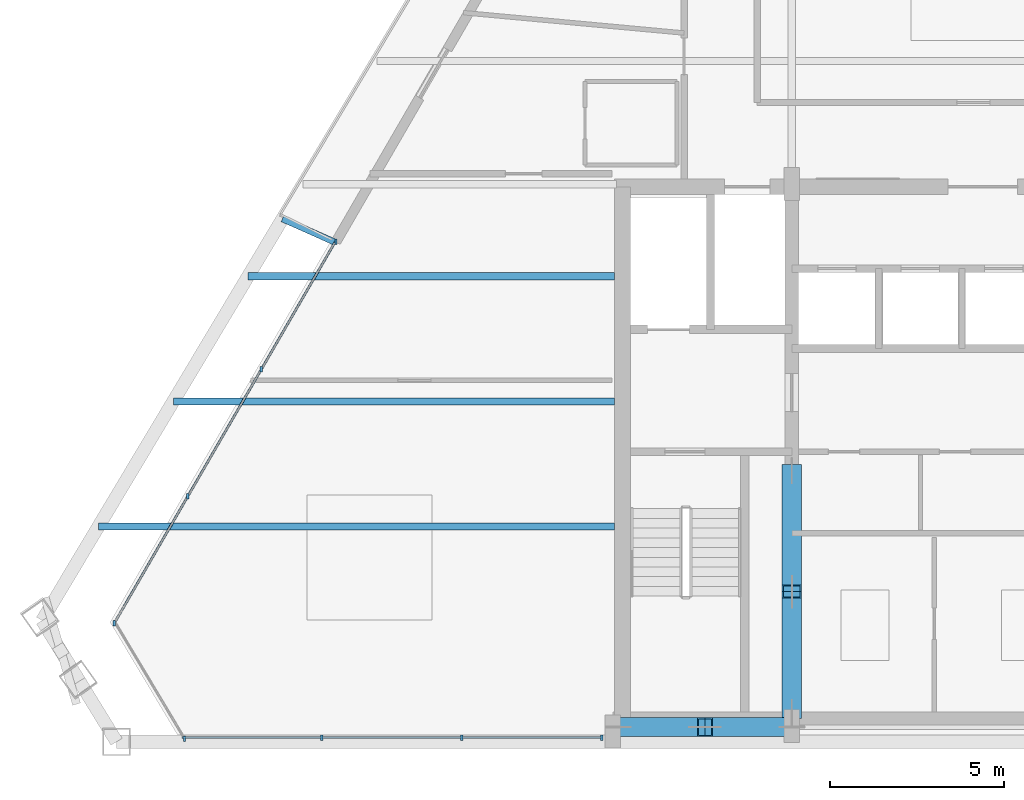
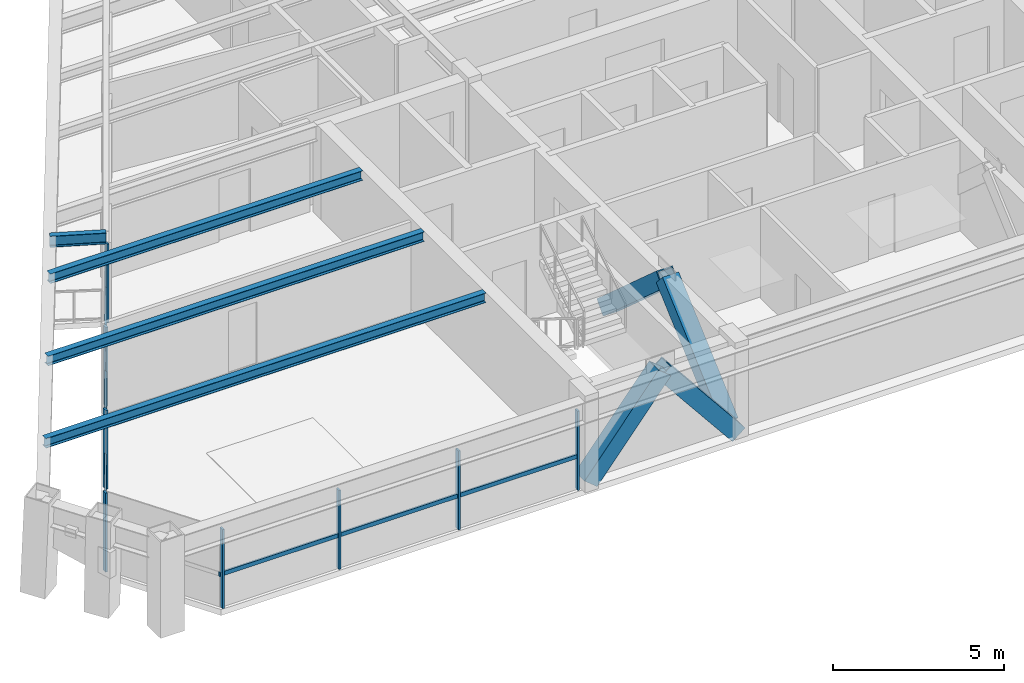
# One storey, part 2 of 13: 18 members, 4 beams, 3 elements without a shape of their own.
"""IFC4 building model written with IfcOpenShell, lengths in metres."""

from ifc_helpers import new_model, si_unit, direction, frame, origin, origin_2d, place, context, subcontext, project, spatial, rectangle, hollow_rectangle, i_section, extrude, source, transform, mapped, material, material_profile, profile_set, type_object, type_shapes, element, aggregate, save


model = new_model("IFC4")

# Units and contexts
model_context = context("Model", 3, precision=1e-05, world=origin(), true_north=direction((0.0, 1.0)))
body_context = subcontext(model_context, "Body", "Model", "MODEL_VIEW")
ifc_project = project(units=[si_unit("LENGTHUNIT", "METRE"), si_unit("AREAUNIT", "SQUARE_METRE"), si_unit("VOLUMEUNIT", "CUBIC_METRE"), si_unit("PLANEANGLEUNIT", "RADIAN"), si_unit("MASSUNIT", "GRAM", prefix="KILO")], contexts=[model_context])

# Site, building, storey
site_placement = place(None, origin())
site = spatial("IfcSite", under=ifc_project, at=site_placement, CompositionType="ELEMENT")
building_placement = place(site_placement, origin())
building = spatial("IfcBuilding", under=site, at=building_placement, Name="Varnakhor Terracotta Tower", CompositionType="ELEMENT")
storey_placement = place(building_placement, frame((0.0, 0.0, 269.550048828125)))
storey = spatial("IfcBuildingStorey", under=building, at=storey_placement, Name="L70", CompositionType="ELEMENT", Elevation=269.550048828125)

# Members
ifc_material_1 = material(Name="Steel S355", Category="steel")
ifc_material_profile_1 = material_profile(ifc_material_1, hollow_rectangle(XDim=0.550048828125, YDim=0.550048828125, WallThickness=0.034912109375, at=origin_2d()), Name="HSS550X550X35")
ifc_profile_set_1 = profile_set([ifc_material_profile_1], Name="Steel S355")
member_type_1 = type_object("IfcMemberType", Name="MBR-MEGA-550", PredefinedType="BRACE", material=ifc_profile_set_1)
shared_shape_1 = source(origin(), body_context, "Body", "SweptSolid", [
    extrude(hollow_rectangle(XDim=0.550048828125, YDim=0.550048828125, WallThickness=0.034912109375, at=origin_2d()), origin(), (0.0, 0.0, 1.0), 4.650146484375),
])
member_1_placement = place(storey_placement, frame((-5.5, 7.800048828125, 0.0), z_axis=(0.0, -0.747316617832, 0.664468112638), x_axis=(1.0, 0.0, 0.0)))
element("IfcMember", 1, at=member_1_placement, inside=storey, type_object=member_type_1, Name="L70 Core Coupled Brace CWWB", PredefinedType="BRACE", context=body_context, shape_type="MappedRepresentation", body=[
    mapped(shared_shape_1, transform((0.0, 0.0, 0.0), scale=1.0)),
])
shared_shape_2 = source(origin(), body_context, "Body", "SweptSolid", [
    extrude(hollow_rectangle(XDim=0.550048828125, YDim=0.550048828125, WallThickness=0.034912109375, at=origin_2d()), origin(), (0.0, 0.0, 1.0), 3.974609375),
])
for number, where, z_axis, x_axis, name in (
    (2, (-10.5, 0.419921875, 0.0), (0.629000299358, 0.0, 0.777405057488), (0.0, 1.0, 0.0), "L70 Core Coupled Brace CSWA"),
    (3, (-5.5, 0.419921875, 0.0), (-0.629000299358, 0.0, 0.777405057488), (0.0, -1.0, 0.0), "L70 Core Coupled Brace CSWB"),
):
    element("IfcMember", number, at=place(storey_placement, frame(where, z_axis=z_axis, x_axis=x_axis)), inside=storey, type_object=member_type_1, Name=name, PredefinedType="BRACE", context=body_context, shape_type="MappedRepresentation", body=[
        mapped(shared_shape_2, transform((0.0, 0.0, 0.0), scale=1.0)),
    ])
shared_shape_3 = source(origin(), body_context, "Body", "SweptSolid", [
    extrude(hollow_rectangle(XDim=0.550048828125, YDim=0.550048828125, WallThickness=0.034912109375, at=origin_2d()), origin(), (0.0, 0.0, 1.0), 4.64990234375),
])
member_2_placement = place(storey_placement, frame((-5.5, 0.85009765625, 0.0), z_axis=(0.0, 0.747293435799, 0.664494184182), x_axis=(-1.0, 0.0, 0.0)))
element("IfcMember", 4, at=member_2_placement, inside=storey, type_object=member_type_1, Name="L70 Core Coupled Brace CWWA", PredefinedType="BRACE", context=body_context, shape_type="MappedRepresentation", body=[
    mapped(shared_shape_3, transform((0.0, 0.0, 0.0), scale=1.0)),
])

# Beams
ifc_material_profile_2 = material_profile(ifc_material_1, i_section(OverallWidth=0.202880859375, OverallDepth=0.346923828125, WebThickness=0.0078125, FlangeThickness=0.013427734375, FilletRadius=0.01806640625, at=origin_2d()), Name="W14X43")
ifc_profile_set_2 = profile_set([ifc_material_profile_2], Name="Steel S355")
beam_type_1 = type_object("IfcBeamType", Name="JST-W14X43", PredefinedType="JOIST", material=ifc_profile_set_2)
shared_shape_4 = source(origin(), body_context, "Body", "SweptSolid", [
    extrude(i_section(OverallWidth=0.202880859375, OverallDepth=0.346923828125, WebThickness=0.0078125, FlangeThickness=0.013427734375, FilletRadius=0.01806640625, at=origin_2d()), origin(), (0.0, 0.0, 1.0), 14.85546875),
])
beam_1_placement = place(storey_placement, frame((-25.45556640625, 6.199951171875, 3.06640625), z_axis=(1.0, 0.0, 0.0), x_axis=(0.0, 1.0, 0.0)))
element("IfcBeam", 5, at=beam_1_placement, inside=storey, type_object=beam_type_1, Name="L70 Floor Joist W1", PredefinedType="JOIST", context=body_context, shape_type="MappedRepresentation", body=[
    mapped(shared_shape_4, transform((0.0, 0.0, 0.0), scale=1.0)),
])
shared_shape_5 = source(origin(), body_context, "Body", "SweptSolid", [
    extrude(i_section(OverallWidth=0.202880859375, OverallDepth=0.346923828125, WebThickness=0.0078125, FlangeThickness=0.013427734375, FilletRadius=0.01806640625, at=origin_2d()), origin(), (0.0, 0.0, 1.0), 12.701904296875),
])
beam_2_placement = place(storey_placement, frame((-23.302001953125, 9.800048828125, 3.06640625), z_axis=(1.0, 0.0, 0.0), x_axis=(0.0, 1.0, 0.0)))
element("IfcBeam", 6, at=beam_2_placement, inside=storey, type_object=beam_type_1, Name="L70 Floor Joist W2", PredefinedType="JOIST", context=body_context, shape_type="MappedRepresentation", body=[
    mapped(shared_shape_5, transform((0.0, 0.0, 0.0), scale=1.0)),
])
shared_shape_6 = source(origin(), body_context, "Body", "SweptSolid", [
    extrude(i_section(OverallWidth=0.202880859375, OverallDepth=0.346923828125, WebThickness=0.0078125, FlangeThickness=0.013427734375, FilletRadius=0.01806640625, at=origin_2d()), origin(), (0.0, 0.0, 1.0), 10.548583984375),
])
beam_3_placement = place(storey_placement, frame((-21.148681640625, 13.39990234375, 3.06640625), z_axis=(1.0, 0.0, 0.0), x_axis=(0.0, 1.0, 0.0)))
element("IfcBeam", 7, at=beam_3_placement, inside=storey, type_object=beam_type_1, Name="L70 Floor Joist W3", PredefinedType="JOIST", context=body_context, shape_type="MappedRepresentation", body=[
    mapped(shared_shape_6, transform((0.0, 0.0, 0.0), scale=1.0)),
])

# Curtain wall, members
ifc_material_2 = material(Name="Anodised Aluminium Curtain Wall System", Category="aluminium")
curtain_wall_type = type_object("IfcCurtainWallType", Name="CW-SYS-HOTEL-LOGGIA", PredefinedType="NOTDEFINED", material=ifc_material_2)
curtain_wall_1_placement = place(storey_placement, origin())
curtain_wall_1 = element("IfcCurtainWall", 8, at=curtain_wall_1_placement, inside=storey, type_object=curtain_wall_type, Name="L70 W Facet Curtain Wall 1", PredefinedType="NOTDEFINED")
ifc_material_3 = material(Name="Anodised Aluminium 6063-T6", Category="aluminium")
ifc_material_profile_3 = material_profile(ifc_material_3, rectangle(XDim=0.06494140625, YDim=0.159912109375, at=origin_2d()), Name="ALU MULLION 65x160")
ifc_profile_set_3 = profile_set([ifc_material_profile_3], Name="Anodised Aluminium 6063-T6")
member_type_2 = type_object("IfcMemberType", Name="CWM-04", PredefinedType="MULLION", material=ifc_profile_set_3)
shared_shape_7 = source(origin(), body_context, "Body", "SweptSolid", [
    extrude(rectangle(XDim=0.06494140625, YDim=0.159912109375, at=origin_2d()), origin(), (0.0, 0.0, 1.0), 2.820068359375),
])
type_shapes(member_type_2, [shared_shape_7])
member_3_placement = place(storey_placement, frame((-25.00341796875, 3.40771484375, 0.0), z_axis=(0.0, 0.0, 1.0), x_axis=(1.0, 0.0, 0.0)))
member_3 = element("IfcMember", 9, at=member_3_placement, type_object=member_type_2, Name="L70 W Facet Curtain Wall 1 Mullion 1", PredefinedType="MULLION", context=body_context, shape_type="MappedRepresentation", body=[
    mapped(shared_shape_7, transform((0.0, 0.0, 0.0), scale=1.0)),
])
member_4_placement = place(storey_placement, frame((-22.886962890625, 7.06201171875, 0.0), z_axis=(0.0, 0.0, 1.0), x_axis=(1.0, 0.0, 0.0)))
member_4 = element("IfcMember", 10, at=member_4_placement, type_object=member_type_2, Name="L70 W Facet Curtain Wall 1 Mullion 2", PredefinedType="MULLION", context=body_context, shape_type="MappedRepresentation", body=[
    mapped(shared_shape_7, transform((0.0, 0.0, 0.0), scale=1.0)),
])
member_5_placement = place(storey_placement, frame((-20.770263671875, 10.71630859375, 0.0), z_axis=(0.0, 0.0, 1.0), x_axis=(1.0, 0.0, 0.0)))
member_5 = element("IfcMember", 11, at=member_5_placement, type_object=member_type_2, Name="L70 W Facet Curtain Wall 1 Mullion 3", PredefinedType="MULLION", context=body_context, shape_type="MappedRepresentation", body=[
    mapped(shared_shape_7, transform((0.0, 0.0, 0.0), scale=1.0)),
])
member_6_placement = place(storey_placement, frame((-18.621337890625, 14.38671875, 0.0), z_axis=(0.0, 0.0, 1.0), x_axis=(1.0, 0.0, 0.0)))
member_6 = element("IfcMember", 12, at=member_6_placement, type_object=member_type_2, Name="L70 W Loggia Jamb Closure Mullion 1", PredefinedType="MULLION", context=body_context, shape_type="MappedRepresentation", body=[
    mapped(shared_shape_7, transform((0.0, 0.0, 0.0), scale=1.0)),
])

curtain_wall_2_placement = place(storey_placement, origin())
curtain_wall_2 = element("IfcCurtainWall", 13, at=curtain_wall_2_placement, inside=storey, type_object=curtain_wall_type, Name="L70 South Wing Curtain Wall SSW", PredefinedType="NOTDEFINED")
member_7_placement = place(storey_placement, frame((-10.969970703125, 0.1201171875, 0.0), z_axis=(0.0, 0.0, 1.0), x_axis=(1.0, 0.0, 0.0)))
member_7 = element("IfcMember", 14, at=member_7_placement, type_object=member_type_2, Name="L70 South Wing Curtain Wall SSW Mullion 1", PredefinedType="MULLION", context=body_context, shape_type="MappedRepresentation", body=[
    mapped(shared_shape_7, transform((0.0, 0.0, 0.0), scale=1.0)),
])
member_8_placement = place(storey_placement, frame((-14.998291015625, 0.1201171875, 0.0), z_axis=(0.0, 0.0, 1.0), x_axis=(1.0, 0.0, 0.0)))
member_8 = element("IfcMember", 15, at=member_8_placement, type_object=member_type_2, Name="L70 South Wing Curtain Wall SSW Mullion 2", PredefinedType="MULLION", context=body_context, shape_type="MappedRepresentation", body=[
    mapped(shared_shape_7, transform((0.0, 0.0, 0.0), scale=1.0)),
])
member_9_placement = place(storey_placement, frame((-19.026611328125, 0.1201171875, 0.0), z_axis=(0.0, 0.0, 1.0), x_axis=(1.0, 0.0, 0.0)))
member_9 = element("IfcMember", 16, at=member_9_placement, type_object=member_type_2, Name="L70 South Wing Curtain Wall SSW Mullion 3", PredefinedType="MULLION", context=body_context, shape_type="MappedRepresentation", body=[
    mapped(shared_shape_7, transform((0.0, 0.0, 0.0), scale=1.0)),
])

# Curtain wall, member
curtain_wall_3_placement = place(storey_placement, origin())
curtain_wall_3 = element("IfcCurtainWall", 17, at=curtain_wall_3_placement, inside=storey, type_object=curtain_wall_type, Name="L70 Facet Curtain Wall 6", PredefinedType="NOTDEFINED")
member_10_placement = place(storey_placement, frame((-22.9775390625, 0.08740234375, 0.0), z_axis=(0.0, 0.0, 1.0), x_axis=(1.0, 0.0, 0.0)))
member_10 = element("IfcMember", 18, at=member_10_placement, type_object=member_type_2, Name="L70 Facet Curtain Wall 6 Mullion 1", PredefinedType="MULLION", context=body_context, shape_type="MappedRepresentation", body=[
    mapped(shared_shape_7, transform((0.0, 0.0, 0.0), scale=1.0)),
])
aggregate(curtain_wall_3, [member_10])

# Member
ifc_material_profile_4 = material_profile(ifc_material_3, rectangle(XDim=0.06494140625, YDim=0.14501953125, at=origin_2d()), Name="ALU TRANSOM 65x145")
ifc_profile_set_4 = profile_set([ifc_material_profile_4], Name="Anodised Aluminium 6063-T6")
member_type_3 = type_object("IfcMemberType", Name="CWT-04", PredefinedType="USERDEFINED", material=ifc_profile_set_4)
shared_shape_8 = source(origin(), body_context, "Body", "SweptSolid", [
    extrude(rectangle(XDim=0.06494140625, YDim=0.14501953125, at=origin_2d()), origin(), (0.0, 0.0, 1.0), 4.222900390625),
])
member_11_placement = place(storey_placement, frame((-25.00341796875, 3.40771484375, 1.184326171875), z_axis=(0.501179836291, 0.865343152567, 0.0), x_axis=(-0.865343152567, 0.501179836291, 0.0)))
member_11 = element("IfcMember", 19, at=member_11_placement, type_object=member_type_3, Name="L70 W Facet Curtain Wall 1 Transom 1", ObjectType="TRANSOM", PredefinedType="USERDEFINED", context=body_context, shape_type="MappedRepresentation", body=[
    mapped(shared_shape_8, transform((0.0, 0.0, 0.0), scale=1.0)),
])

member_12_placement = place(storey_placement, frame((-20.770263671875, 10.71630859375, 1.184326171875), z_axis=(0.501179836291, 0.865343152567, 0.0), x_axis=(-0.865343152567, 0.501179836291, 0.0)))
member_12 = element("IfcMember", 20, at=member_12_placement, type_object=member_type_3, Name="L70 W Facet Curtain Wall 1 Transom 3", ObjectType="TRANSOM", PredefinedType="USERDEFINED", context=body_context, shape_type="MappedRepresentation", body=[
    mapped(shared_shape_8, transform((0.0, 0.0, 0.0), scale=1.0)),
])

shared_shape_9 = source(origin(), body_context, "Body", "SweptSolid", [
    extrude(rectangle(XDim=0.06494140625, YDim=0.14501953125, at=origin_2d()), origin(), (0.0, 0.0, 1.0), 4.22314453125),
])
member_13_placement = place(storey_placement, frame((-22.886962890625, 7.06201171875, 1.184326171875), z_axis=(0.501223125778, 0.865318079197, 0.0), x_axis=(-0.865318079197, 0.501223125778, 0.0)))
member_13 = element("IfcMember", 21, at=member_13_placement, type_object=member_type_3, Name="L70 W Facet Curtain Wall 1 Transom 2", ObjectType="TRANSOM", PredefinedType="USERDEFINED", context=body_context, shape_type="MappedRepresentation", body=[
    mapped(shared_shape_9, transform((0.0, 0.0, 0.0), scale=1.0)),
])

aggregate(curtain_wall_1, [member_3, member_11, member_4, member_13, member_5, member_12, member_6])

shared_shape_10 = source(origin(), body_context, "Body", "SweptSolid", [
    extrude(rectangle(XDim=0.06494140625, YDim=0.14501953125, at=origin_2d()), origin(), (0.0, 0.0, 1.0), 4.0283203125),
])
member_14_placement = place(storey_placement, frame((-10.969970703125, 0.1201171875, 1.184326171875), z_axis=(-1.0, 0.0, 0.0), x_axis=(0.0, -1.0, 0.0)))
member_14 = element("IfcMember", 22, at=member_14_placement, type_object=member_type_3, Name="L70 South Wing Curtain Wall SSW Transom 1", ObjectType="TRANSOM", PredefinedType="USERDEFINED", context=body_context, shape_type="MappedRepresentation", body=[
    mapped(shared_shape_10, transform((0.0, 0.0, 0.0), scale=1.0)),
])

member_15_placement = place(storey_placement, frame((-14.998291015625, 0.1201171875, 1.184326171875), z_axis=(-1.0, 0.0, 0.0), x_axis=(0.0, -1.0, 0.0)))
member_15 = element("IfcMember", 23, at=member_15_placement, type_object=member_type_3, Name="L70 South Wing Curtain Wall SSW Transom 2", ObjectType="TRANSOM", PredefinedType="USERDEFINED", context=body_context, shape_type="MappedRepresentation", body=[
    mapped(shared_shape_10, transform((0.0, 0.0, 0.0), scale=1.0)),
])

shared_shape_11 = source(origin(), body_context, "Body", "SweptSolid", [
    extrude(rectangle(XDim=0.06494140625, YDim=0.14501953125, at=origin_2d()), origin(), (0.0, 0.0, 1.0), 4.028564453125),
])
member_16_placement = place(storey_placement, frame((-19.026611328125, 0.1201171875, 1.184326171875), z_axis=(-1.0, 0.0, 0.0), x_axis=(0.0, -1.0, 0.0)))
member_16 = element("IfcMember", 24, at=member_16_placement, type_object=member_type_3, Name="L70 South Wing Curtain Wall SSW Transom 3", ObjectType="TRANSOM", PredefinedType="USERDEFINED", context=body_context, shape_type="MappedRepresentation", body=[
    mapped(shared_shape_11, transform((0.0, 0.0, 0.0), scale=1.0)),
])

aggregate(curtain_wall_2, [member_7, member_14, member_8, member_15, member_9, member_16])

# Beam
ifc_material_profile_5 = material_profile(ifc_material_1, i_section(OverallWidth=0.179931640625, OverallDepth=0.39990234375, WebThickness=0.008544921875, FlangeThickness=0.013427734375, FilletRadius=0.01806640625, at=origin_2d()), Name="IPE400")
ifc_profile_set_5 = profile_set([ifc_material_profile_5], Name="Steel S355")
beam_type_2 = type_object("IfcBeamType", Name="JST-IPE400", PredefinedType="JOIST", material=ifc_profile_set_5)
shared_shape_12 = source(origin(), body_context, "Body", "SweptSolid", [
    extrude(i_section(OverallWidth=0.179931640625, OverallDepth=0.39990234375, WebThickness=0.008544921875, FlangeThickness=0.013427734375, FilletRadius=0.01806640625, at=origin_2d()), origin(), (0.0, 0.0, 1.0), 1.65478515625),
])
beam_4_placement = place(storey_placement, frame((-18.649658203125, 14.377685546875, 3.0400390625), z_axis=(-0.913671566224, 0.406453280308, 0.0), x_axis=(-0.406453280308, -0.913671566224, 0.0)))
element("IfcBeam", 25, at=beam_4_placement, inside=storey, type_object=beam_type_2, Name="L71 W Loggia Tie Beam 1", PredefinedType="JOIST", context=body_context, shape_type="MappedRepresentation", body=[
    mapped(shared_shape_12, transform((0.0, 0.0, 0.0), scale=1.0)),
])

save(model, "model.ifc")
